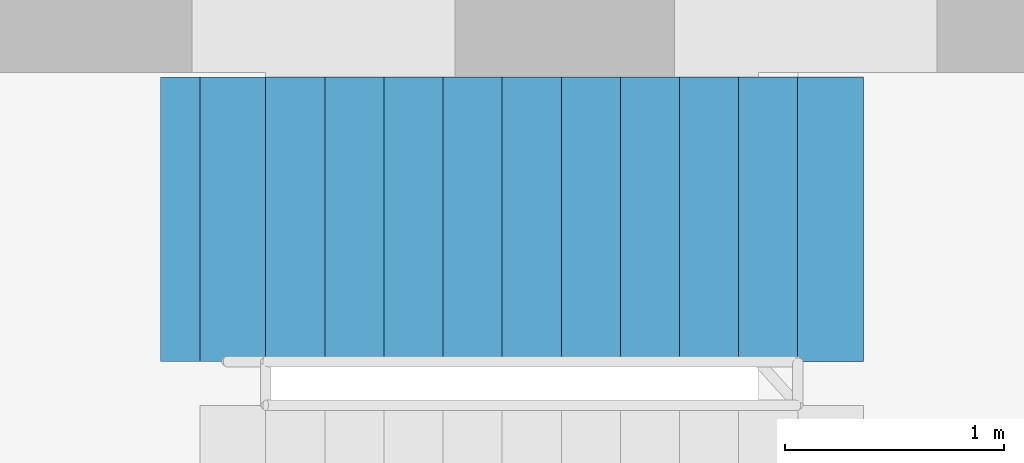
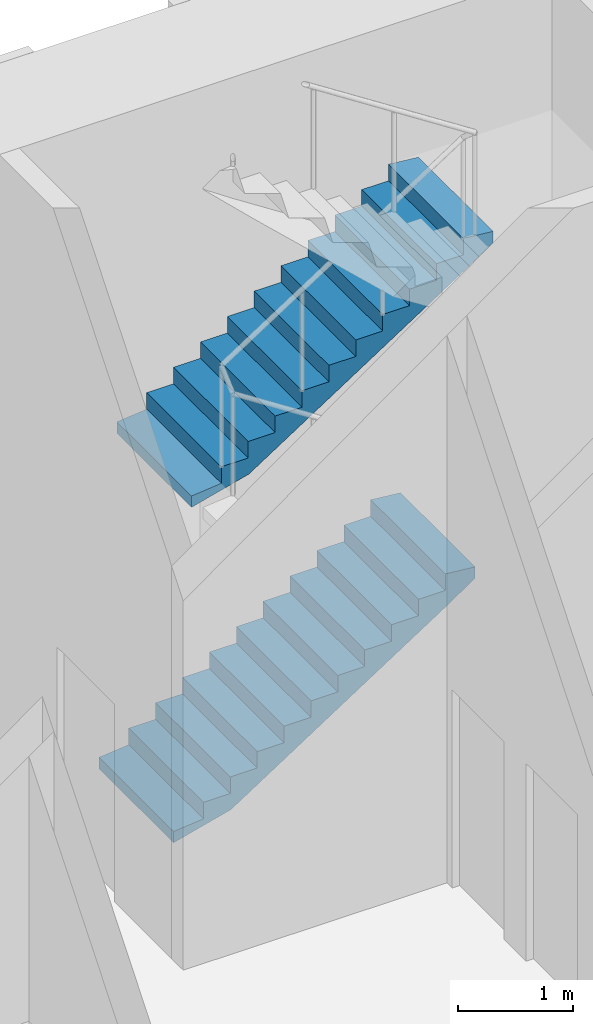
# One storey, part 15 of 28: 2 stair flights, 1 element without a shape of its own.
"""IFC4 building model written with IfcOpenShell, lengths in metres."""

from ifc_helpers import new_model, si_unit, direction, frame, origin, place, context, subcontext, project, spatial, polyline, outline, extrude, material, type_object, element, aggregate, save


model = new_model("IFC4")

# Units and contexts
model_context = context("Model", 3, precision=1e-05, world=origin(), true_north=direction((0.0, 1.0)))
body_context = subcontext(model_context, "Body", "Model", "MODEL_VIEW")
ifc_project = project(units=[si_unit("LENGTHUNIT", "METRE"), si_unit("AREAUNIT", "SQUARE_METRE"), si_unit("VOLUMEUNIT", "CUBIC_METRE"), si_unit("PLANEANGLEUNIT", "RADIAN"), si_unit("MASSUNIT", "GRAM", prefix="KILO")], contexts=[model_context])

# Site, building, storey
site_placement = place(None, origin())
site = spatial("IfcSite", under=ifc_project, at=site_placement, CompositionType="ELEMENT")
building_placement = place(site_placement, origin())
building = spatial("IfcBuilding", under=site, at=building_placement, Name="Vermilion Gate Residences", CompositionType="ELEMENT")
storey_placement = place(building_placement, frame((0.0, 0.0, 74.199951171875)))
storey = spatial("IfcBuildingStorey", under=building, at=storey_placement, Name="L18", CompositionType="ELEMENT", Elevation=74.199951171875)

# Stair, stair flights
ifc_material_1 = material(Name="Concrete C50", Category="concrete")
stair_type = type_object("IfcStairType", Name="SPECIAL ESCAPE STAIR 1300", PredefinedType="HALF_TURN_STAIR", material=ifc_material_1)
stair_placement = place(storey_placement, origin())
stair = element("IfcStair", 1, at=stair_placement, inside=storey, type_object=stair_type, Name="Special escape stair STB1-18", PredefinedType="HALF_TURN_STAIR")
ifc_material_2 = material(Name="Concrete C50", Category="concrete")
stair_flight_type = type_object("IfcStairFlightType", Name="STAIR FLIGHT 1300 RC C50", PredefinedType="STRAIGHT", material=ifc_material_2)
stair_flight_1_placement = place(storey_placement, frame((19.75, 56.949951171875, 0.0), z_axis=(0.0, 0.0, 1.0), x_axis=(1.0, 0.0, 0.0)))
stair_flight_1 = element("IfcStairFlight", 2, at=stair_flight_1_placement, type_object=stair_flight_type, Name="STB1-18 flight 1", NumberOfRisers=10, NumberOfTreads=9, PredefinedType="STRAIGHT", RiserHeight=0.175, TreadLength=0.27, context=body_context, shape_type="SweptSolid", body=[
    extrude(outline(polyline([(-0.300048828125, -0.14990234375), (-0.300048828125, -0.030029296875), (0.0, 0.0), (0.0, 0.175048828125), (0.27001953125, 0.175048828125), (0.27001953125, 0.35009765625), (0.5400390625, 0.35009765625), (0.5400390625, 0.52490234375), (0.81005859375, 0.52490234375), (0.81005859375, 0.699951171875), (1.080078125, 0.699951171875), (1.080078125, 0.875), (1.35009765625, 0.875), (1.35009765625, 1.050048828125), (1.6201171875, 1.050048828125), (1.6201171875, 1.22509765625), (1.889892578125, 1.22509765625), (1.889892578125, 1.39990234375), (2.159912109375, 1.39990234375), (2.159912109375, 1.574951171875), (2.429931640625, 1.574951171875), (2.429931640625, 1.75), (2.72998046875, 1.719970703125), (2.72998046875, 1.60009765625), (2.429931640625, 1.396484375), (0.275634765625, 0.0), (-0.300048828125, -0.14990234375)])), frame((0.0, 0.64990234375, 0.0), z_axis=(0.0, -1.0, 0.0), x_axis=(1.0, 0.0, 0.0)), (0.0, 0.0, 1.0), 1.300048828125),
])
stair_flight_2_placement = place(storey_placement, frame((19.929931640625, 56.949951171875, 3.5), z_axis=(0.0, 0.0, 1.0), x_axis=(1.0, 0.0, 0.0)))
stair_flight_2 = element("IfcStairFlight", 3, at=stair_flight_2_placement, type_object=stair_flight_type, Name="STB1-18 flight 3", NumberOfRisers=10, NumberOfTreads=9, PredefinedType="STRAIGHT", RiserHeight=0.175, TreadLength=0.27, context=body_context, shape_type="SweptSolid", body=[
    extrude(outline(polyline([(-0.300048828125, -0.14990234375), (-0.300048828125, -0.030029296875), (0.0, 0.0), (0.0, 0.175048828125), (0.27001953125, 0.175048828125), (0.27001953125, 0.35009765625), (0.5400390625, 0.35009765625), (0.5400390625, 0.52490234375), (0.81005859375, 0.52490234375), (0.81005859375, 0.699951171875), (1.080078125, 0.699951171875), (1.080078125, 0.875), (1.35009765625, 0.875), (1.35009765625, 1.050048828125), (1.6201171875, 1.050048828125), (1.6201171875, 1.22509765625), (1.889892578125, 1.22509765625), (1.889892578125, 1.39990234375), (2.159912109375, 1.39990234375), (2.159912109375, 1.574951171875), (2.429931640625, 1.574951171875), (2.429931640625, 1.75), (2.72998046875, 1.719970703125), (2.72998046875, 1.60009765625), (2.429931640625, 1.396484375), (0.275634765625, 0.0), (-0.300048828125, -0.14990234375)])), frame((0.0, 0.64990234375, 0.0), z_axis=(0.0, -1.0, 0.0), x_axis=(1.0, 0.0, 0.0)), (0.0, 0.0, 1.0), 1.300048828125),
])
aggregate(stair, [stair_flight_1, stair_flight_2])

save(model, "model.ifc")
